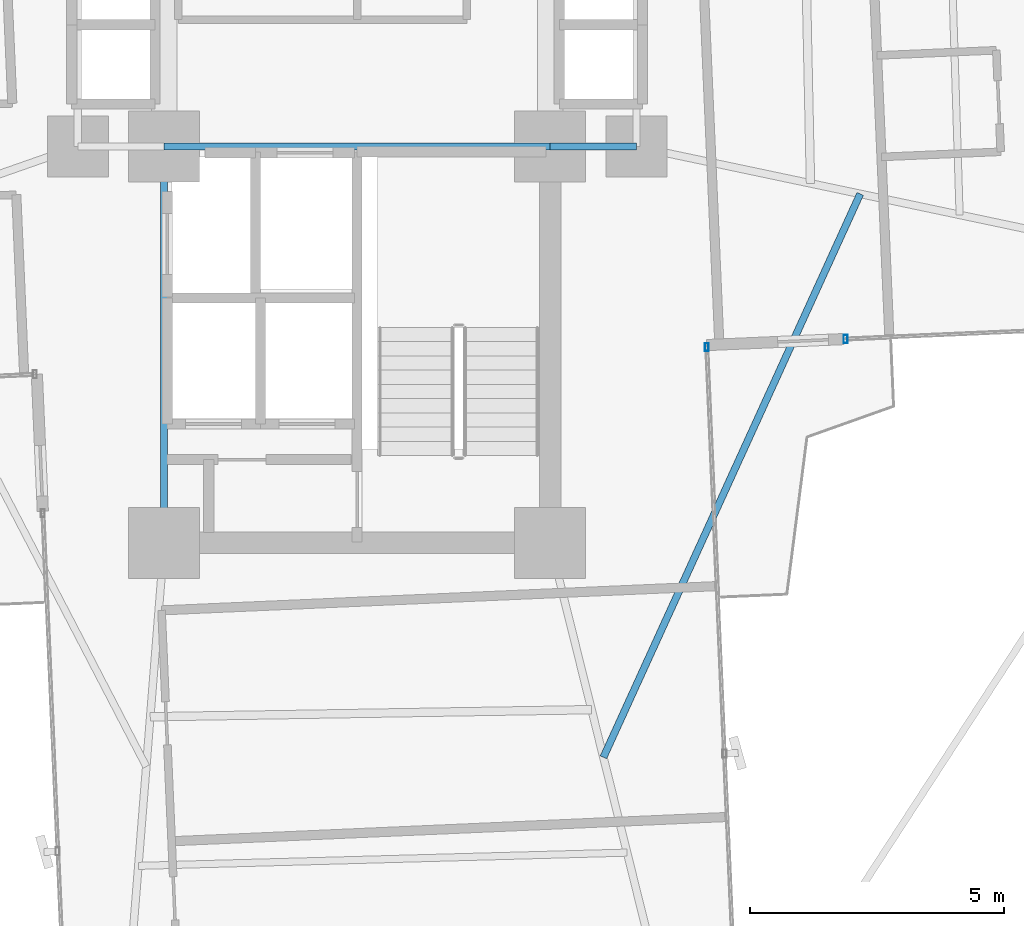
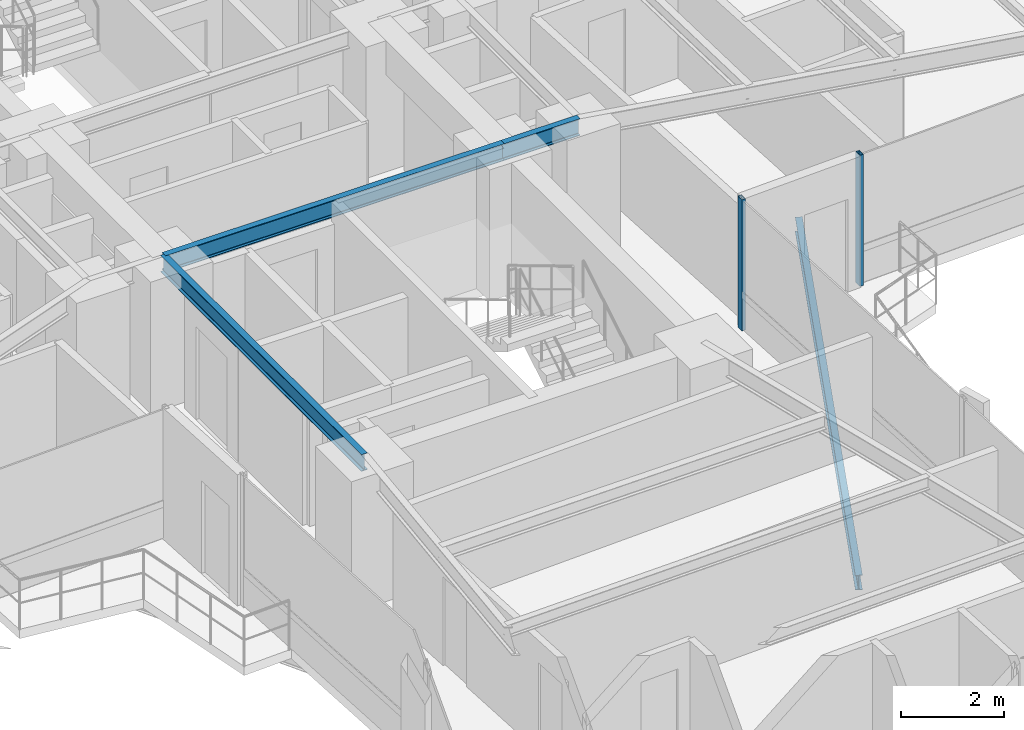
# One storey, part 11 of 26: 4 beams, 2 members, 2 elements without a shape of their own.
"""IFC4 building model written with IfcOpenShell, lengths in metres."""

from ifc_helpers import new_model, si_unit, direction, frame, origin, origin_2d, place, context, subcontext, project, spatial, hollow_rectangle, i_section, extrude, source, transform, mapped, material, material_profile, profile_set, type_object, element, aggregate, save


model = new_model("IFC4")

# Units and contexts
model_context = context("Model", 3, precision=1e-05, world=origin(), true_north=direction((0.0, 1.0)))
body_context = subcontext(model_context, "Body", "Model", "MODEL_VIEW")
ifc_project = project(units=[si_unit("LENGTHUNIT", "METRE"), si_unit("AREAUNIT", "SQUARE_METRE"), si_unit("VOLUMEUNIT", "CUBIC_METRE"), si_unit("PLANEANGLEUNIT", "RADIAN"), si_unit("MASSUNIT", "GRAM", prefix="KILO")], contexts=[model_context])

# Site, building, storey
site_placement = place(None, origin())
site = spatial("IfcSite", under=ifc_project, at=site_placement, CompositionType="ELEMENT")
building_placement = place(site_placement, origin())
building = spatial("IfcBuilding", under=site, at=building_placement, Name="Sahyath Konkavel Grand Hotel", CompositionType="ELEMENT")
storey_placement = place(building_placement, frame((0.0, 0.0, 86.85009765625)))
storey = spatial("IfcBuildingStorey", under=building, at=storey_placement, Name="L23", CompositionType="ELEMENT", Elevation=86.85009765625)

# Beams
ifc_material_1 = material(Name="Steel E350", Category="steel")
ifc_material_profile_1 = material_profile(ifc_material_1, i_section(OverallWidth=0.139892578125, OverallDepth=0.39990234375, WebThickness=0.0087890625, FlangeThickness=0.01611328125, FilletRadius=0.013916015625, at=origin_2d()), Name="ISMB 400")
ifc_profile_set_1 = profile_set([ifc_material_profile_1], Name="Steel E350")
beam_type_1 = type_object("IfcBeamType", Name="BM-ISMB400", PredefinedType="BEAM", material=ifc_profile_set_1)
shared_shape_1 = source(origin(), body_context, "Body", "SweptSolid", [
    extrude(i_section(OverallWidth=0.139892578125, OverallDepth=0.39990234375, WebThickness=0.0087890625, FlangeThickness=0.01611328125, FilletRadius=0.013916015625, at=origin_2d()), origin(), (0.0, 0.0, 1.0), 7.60009765625),
])
beam_1_placement = place(storey_placement, frame((-3.800048828125, -2.39990234375, 2.909912109375), z_axis=(1.0, 0.0, 0.0), x_axis=(0.0, 1.0, 0.0)))
element("IfcBeam", 1, at=beam_1_placement, inside=storey, type_object=beam_type_1, Name="str:bm:L23:SC-N", PredefinedType="BEAM", context=body_context, shape_type="MappedRepresentation", body=[
    mapped(shared_shape_1, transform((0.0, 0.0, 0.0), scale=1.0)),
])
shared_shape_2 = source(origin(), body_context, "Body", "SweptSolid", [
    extrude(i_section(OverallWidth=0.139892578125, OverallDepth=0.39990234375, WebThickness=0.0087890625, FlangeThickness=0.01611328125, FilletRadius=0.013916015625, at=origin_2d()), origin(), (0.0, 0.0, 1.0), 7.800048828125),
])
beam_2_placement = place(storey_placement, frame((-3.800048828125, -10.199951171875, 2.909912109375), z_axis=(0.0, 1.0, 0.0), x_axis=(-1.0, 0.0, 0.0)))
element("IfcBeam", 2, at=beam_2_placement, inside=storey, type_object=beam_type_1, Name="str:bm:L23:SC-W", PredefinedType="BEAM", context=body_context, shape_type="MappedRepresentation", body=[
    mapped(shared_shape_2, transform((0.0, 0.0, 0.0), scale=1.0)),
])
shared_shape_3 = source(origin(), body_context, "Body", "SweptSolid", [
    extrude(i_section(OverallWidth=0.139892578125, OverallDepth=0.39990234375, WebThickness=0.0087890625, FlangeThickness=0.01611328125, FilletRadius=0.013916015625, at=origin_2d()), origin(), (0.0, 0.0, 1.0), 1.699951171875),
])
beam_3_placement = place(storey_placement, frame((3.800048828125, -2.39990234375, 2.909912109375), z_axis=(1.0, 0.0, 0.0), x_axis=(0.0, 1.0, 0.0)))
element("IfcBeam", 3, at=beam_3_placement, inside=storey, type_object=beam_type_1, Name="str:bm:L23:HB-SE", PredefinedType="BEAM", context=body_context, shape_type="MappedRepresentation", body=[
    mapped(shared_shape_3, transform((0.0, 0.0, 0.0), scale=1.0)),
])

# Curtain wall, member
ifc_material_2 = material(Name="Anodised Bronze Aluminium & Low-E Glazing", Category="aluminium")
curtain_wall_type = type_object("IfcCurtainWallType", Name="CW-ZONE2", PredefinedType="NOTDEFINED", material=ifc_material_2)
curtain_wall_1_placement = place(storey_placement, origin())
curtain_wall_1 = element("IfcCurtainWall", 4, at=curtain_wall_1_placement, inside=storey, type_object=curtain_wall_type, Name="L23 Unitised Curtain Wall F0", PredefinedType="NOTDEFINED")
ifc_material_3 = material(Name="Anodised Bronze Aluminium", Category="aluminium")
ifc_material_profile_2 = material_profile(ifc_material_3, hollow_rectangle(XDim=0.080078125, YDim=0.159912109375, WallThickness=0.006103515625, at=origin_2d()), Name="RHS 160x80x6")
ifc_profile_set_2 = profile_set([ifc_material_profile_2], Name="Anodised Bronze Aluminium")
member_type = type_object("IfcMemberType", Name="CW-MUL-160", PredefinedType="MULLION", material=ifc_profile_set_2)
shared_shape_4 = source(origin(), body_context, "Body", "SweptSolid", [
    extrude(hollow_rectangle(XDim=0.080078125, YDim=0.159912109375, WallThickness=0.006103515625, at=origin_2d()), origin(), (0.0, 0.0, 1.0), 3.10986328125),
])
member_1_placement = place(storey_placement, frame((9.618896484375, -6.186279296875, 0.0), z_axis=(0.0, 0.0, 1.0), x_axis=(1.0, 0.0, 0.0)))
member_1 = element("IfcMember", 5, at=member_1_placement, type_object=member_type, Name="L23 Curtain Wall Mullion F0-0", PredefinedType="MULLION", context=body_context, shape_type="MappedRepresentation", body=[
    mapped(shared_shape_4, transform((0.0, 0.0, 0.0), scale=1.0)),
])
aggregate(curtain_wall_1, [member_1])

curtain_wall_2_placement = place(storey_placement, origin())
curtain_wall_2 = element("IfcCurtainWall", 6, at=curtain_wall_2_placement, inside=storey, type_object=curtain_wall_type, Name="L23 Unitised Curtain Wall F31", PredefinedType="NOTDEFINED")
member_2_placement = place(storey_placement, frame((6.88330078125, -6.345703125, 0.0), z_axis=(0.0, 0.0, 1.0), x_axis=(1.0, 0.0, 0.0)))
member_2 = element("IfcMember", 7, at=member_2_placement, type_object=member_type, Name="L23 Curtain Wall Mullion F31-2", PredefinedType="MULLION", context=body_context, shape_type="MappedRepresentation", body=[
    mapped(shared_shape_4, transform((0.0, 0.0, 0.0), scale=1.0)),
])
aggregate(curtain_wall_2, [member_2])

# Beam
ifc_material_profile_3 = material_profile(ifc_material_1, i_section(OverallWidth=0.139892578125, OverallDepth=0.35009765625, WebThickness=0.008056640625, FlangeThickness=0.01416015625, FilletRadius=0.013916015625, at=origin_2d()), Name="ISMB 350")
ifc_profile_set_3 = profile_set([ifc_material_profile_3], Name="Steel E350")
beam_type_2 = type_object("IfcBeamType", Name="BM-BALC-CANT", PredefinedType="BEAM", material=ifc_profile_set_3)
shared_shape_5 = source(origin(), body_context, "Body", "SweptSolid", [
    extrude(i_section(OverallWidth=0.139892578125, OverallDepth=0.35009765625, WebThickness=0.008056640625, FlangeThickness=0.01416015625, FilletRadius=0.013916015625, at=origin_2d()), origin(), (0.0, 0.0, 1.0), 12.190673828125),
])
beam_4_placement = place(storey_placement, frame((4.8486328125, -14.422119140625, -0.4150390625), z_axis=(0.414712580086, 0.909952458054, 0.0), x_axis=(-0.909952458054, 0.414712580086, 0.0)))
element("IfcBeam", 8, at=beam_4_placement, inside=storey, type_object=beam_type_2, Name="L23 Balcony Cantilever Support Beam SE", PredefinedType="BEAM", context=body_context, shape_type="MappedRepresentation", body=[
    mapped(shared_shape_5, transform((0.0, 0.0, 0.0), scale=1.0)),
])

save(model, "model.ifc")
